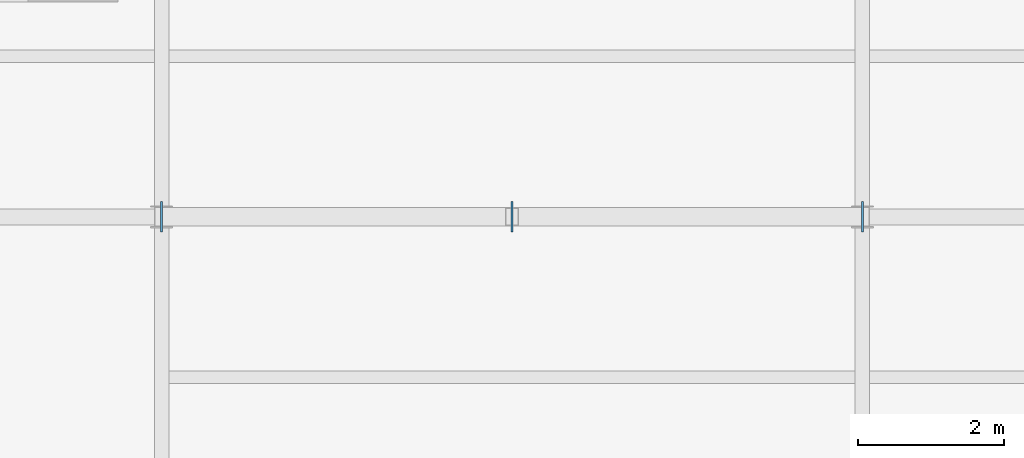
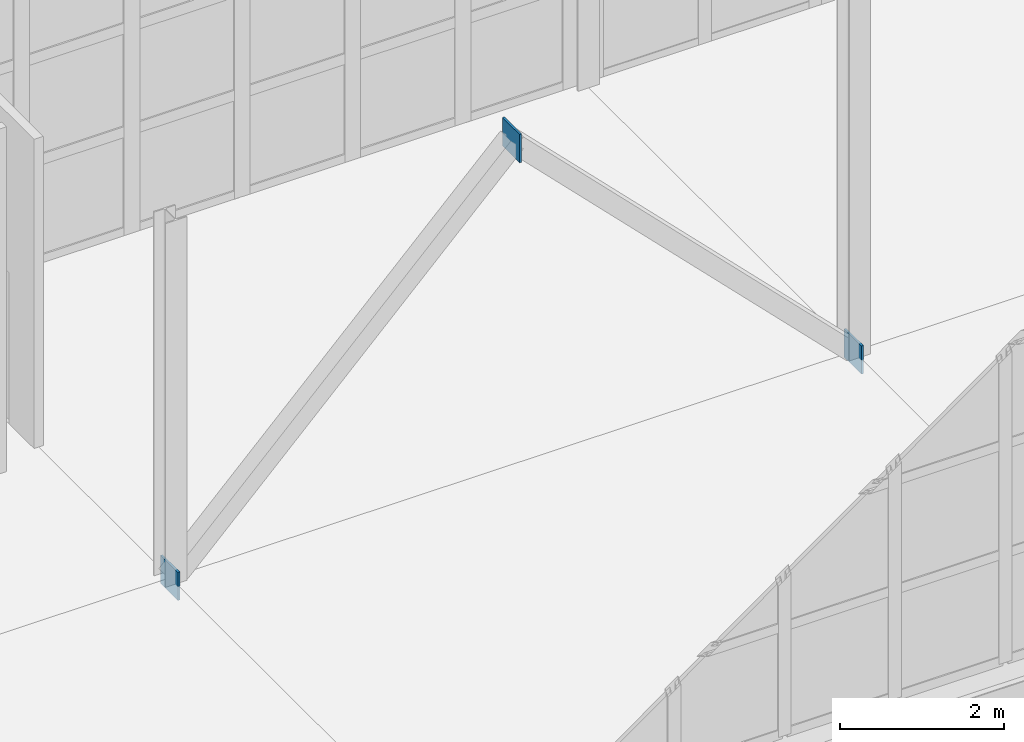
# One storey, part 61 of 85: 3 plates.
"""IFC4 building model written with IfcOpenShell, lengths in metres."""

from ifc_helpers import new_model, si_unit, direction, frame, origin, origin_2d, place, context, subcontext, project, spatial, rectangle, extrude, material, layer, layer_set, type_object, element, save


model = new_model("IFC4")

# Units and contexts
model_context = context("Model", 3, precision=1e-05, world=origin(), true_north=direction((0.0, 1.0)))
body_context = subcontext(model_context, "Body", "Model", "MODEL_VIEW")
ifc_project = project(units=[si_unit("LENGTHUNIT", "METRE"), si_unit("AREAUNIT", "SQUARE_METRE"), si_unit("VOLUMEUNIT", "CUBIC_METRE"), si_unit("PLANEANGLEUNIT", "RADIAN"), si_unit("MASSUNIT", "GRAM", prefix="KILO")], contexts=[model_context])

# Site, building, storey
site_placement = place(None, origin())
site = spatial("IfcSite", under=ifc_project, at=site_placement, CompositionType="ELEMENT")
building_placement = place(site_placement, origin())
building = spatial("IfcBuilding", under=site, at=building_placement, Name="Zarnetskaya Central Station", CompositionType="ELEMENT")
storey_placement = place(building_placement, origin())
storey = spatial("IfcBuildingStorey", under=building, at=storey_placement, Name="L00", CompositionType="ELEMENT", Elevation=0.0)

# Plates
ifc_material = material(Name="Steel S355", Category="steel")
ifc_layer = layer(ifc_material, 0.028076171875, Name="Steel S355", Category="steel")
ifc_layer_set = layer_set([ifc_layer], Name="Steel S355")
plate_type = type_object("IfcPlateType", Name="ND-GUSSET-28", PredefinedType="USERDEFINED", material=ifc_layer_set)
for number, where, z_axis, x_axis, name in (
    (1, (134.39990234375, 6.60009765625, -0.2099609375), (0.0, 0.0, 1.0), (1.0, 0.0, 0.0), "Structural member end gusset plate 137"),
    (2, (139.199951171875, 6.60009765625, 4.610107421875), (0.0, 0.0, 1.0), (1.0, 0.0, 0.0), "Structural member end gusset plate 138"),
    (3, (144.0, 6.60009765625, -0.2099609375), (0.0, 0.0, 1.0), (1.0, 0.0, 0.0), "Structural member end gusset plate 139"),
):
    element("IfcPlate", number, at=place(storey_placement, frame(where, z_axis=z_axis, x_axis=x_axis)), inside=storey, type_object=plate_type, Name=name, ObjectType="GUSSET PLATE", PredefinedType="USERDEFINED", context=body_context, shape_type="SweptSolid", body=[
        extrude(rectangle(XDim=0.028076171875, YDim=0.419921875, at=origin_2d()), origin(), (0.0, 0.0, 1.0), 0.419921875),
    ])

save(model, "model.ifc")
